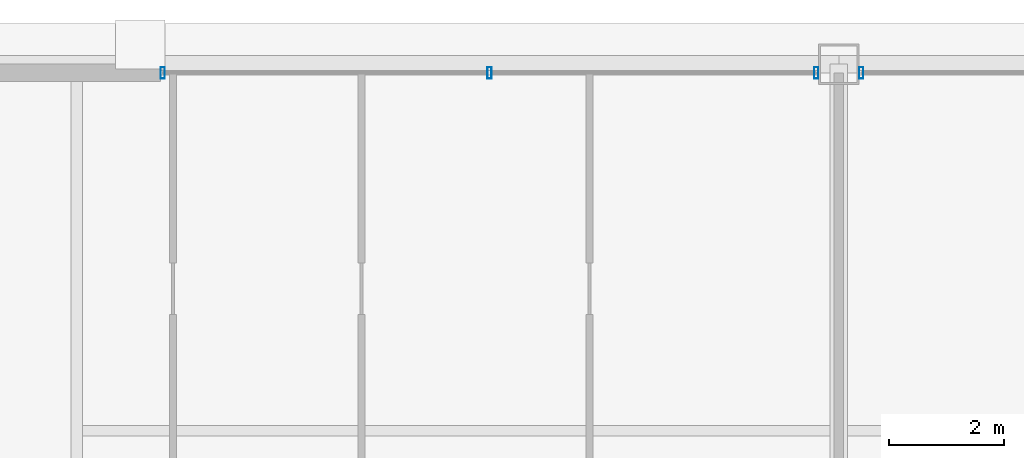
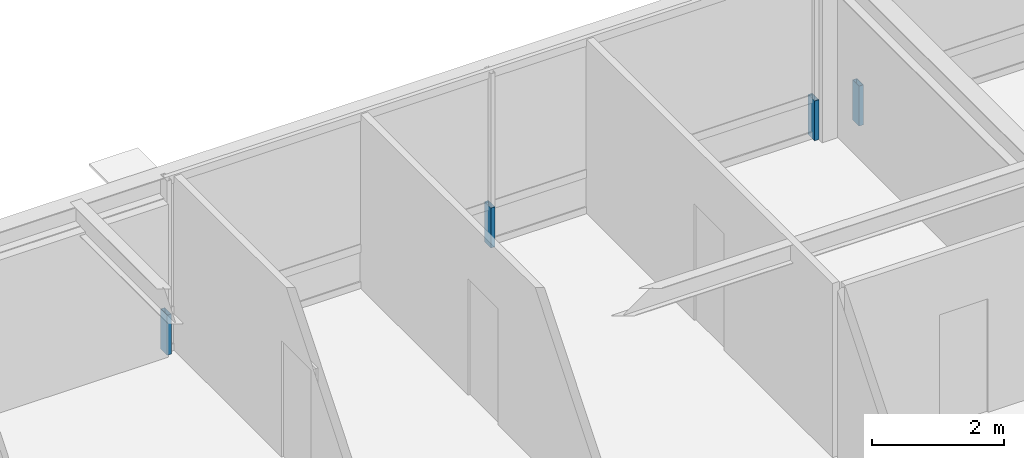
# One storey, part 27 of 35: 4 members, 2 elements without a shape of their own.
"""IFC4 building model written with IfcOpenShell, lengths in metres."""

from ifc_helpers import new_model, si_unit, direction, frame, origin, origin_2d, place, context, subcontext, project, spatial, hollow_rectangle, extrude, source, transform, mapped, material, layer, layer_set, material_profile, profile_set, type_object, element, aggregate, save


model = new_model("IFC4")

# Units and contexts
model_context = context("Model", 3, precision=1e-05, world=origin(), true_north=direction((0.0, 1.0)))
body_context = subcontext(model_context, "Body", "Model", "MODEL_VIEW")
ifc_project = project(units=[si_unit("LENGTHUNIT", "METRE"), si_unit("AREAUNIT", "SQUARE_METRE"), si_unit("VOLUMEUNIT", "CUBIC_METRE"), si_unit("PLANEANGLEUNIT", "RADIAN"), si_unit("MASSUNIT", "GRAM", prefix="KILO"), si_unit("THERMODYNAMICTEMPERATUREUNIT", "KELVIN"), si_unit("POWERUNIT", "WATT")], contexts=[model_context])

# Site, building, storey
site_placement = place(None, origin())
site = spatial("IfcSite", under=ifc_project, at=site_placement, CompositionType="ELEMENT")
building_placement = place(site_placement, origin())
building = spatial("IfcBuilding", under=site, at=building_placement, Name="Yuzanri Waterfront Tower", CompositionType="ELEMENT")
storey_placement = place(building_placement, frame((0.0, 0.0, 303.10009765625)))
storey = spatial("IfcBuildingStorey", under=building, at=storey_placement, Name="L81", CompositionType="ELEMENT", Elevation=303.10009765625)

# Curtain wall, members
ifc_material_1 = material(Name="Anodized Architectural Bronze", Category="metal")
ifc_layer = layer(ifc_material_1, 0.159912109375)
ifc_layer_set = layer_set([ifc_layer], Name="Anodized Architectural Bronze")
curtain_wall_type = type_object("IfcCurtainWallType", Name="Anodized Bronze High-Rise Penthouse High-Wind Unitized Curtain Wall 6900", PredefinedType="NOTDEFINED", material=ifc_layer_set)
curtain_wall_1_placement = place(storey_placement, origin())
curtain_wall_1 = element("IfcCurtainWall", 1, at=curtain_wall_1_placement, inside=storey, type_object=curtain_wall_type, Name="L81 Curtain Wall CW-L81-NL", PredefinedType="NOTDEFINED")
ifc_material_2 = material(Name="Anodized Architectural Bronze", Category="metal")
ifc_material_profile = material_profile(ifc_material_2, hollow_rectangle(XDim=0.074951171875, YDim=0.199951171875, WallThickness=0.00390625, at=origin_2d()), Name="CWM 75x200")
ifc_profile_set = profile_set([ifc_material_profile], Name="Anodized Architectural Bronze")
member_type = type_object("IfcMemberType", Name="Anodized Bronze Primary Curtain-Wall Mullion 75x200", PredefinedType="MULLION", material=ifc_profile_set)
shared_shape = source(origin(), body_context, "Body", "SweptSolid", [
    extrude(hollow_rectangle(XDim=0.074951171875, YDim=0.199951171875, WallThickness=0.00390625, at=origin_2d()), origin(), (0.0, 0.0, 1.0), 0.739013671875),
])
member_1_placement = place(storey_placement, frame((25.2900390625, 44.75, 0.0), z_axis=(0.0, 0.0, 1.0), x_axis=(1.0, 0.0, 0.0)))
member_1 = element("IfcMember", 2, at=member_1_placement, type_object=member_type, Name="CW-L81-NL Lower Mullion 00", PredefinedType="MULLION", context=body_context, shape_type="MappedRepresentation", body=[
    mapped(shared_shape, transform((0.0, 0.0, 0.0), scale=1.0)),
])
member_2_placement = place(storey_placement, frame((30.949951171875, 44.75, 0.0), z_axis=(0.0, 0.0, 1.0), x_axis=(1.0, 0.0, 0.0)))
member_2 = element("IfcMember", 3, at=member_2_placement, type_object=member_type, Name="CW-L81-NL Lower Mullion 01", PredefinedType="MULLION", context=body_context, shape_type="MappedRepresentation", body=[
    mapped(shared_shape, transform((0.0, 0.0, 0.0), scale=1.0)),
])
member_3_placement = place(storey_placement, frame((36.610107421875, 44.75, 0.0), z_axis=(0.0, 0.0, 1.0), x_axis=(1.0, 0.0, 0.0)))
member_3 = element("IfcMember", 4, at=member_3_placement, type_object=member_type, Name="CW-L81-NL Lower Mullion 02", PredefinedType="MULLION", context=body_context, shape_type="MappedRepresentation", body=[
    mapped(shared_shape, transform((0.0, 0.0, 0.0), scale=1.0)),
])
aggregate(curtain_wall_1, [member_1, member_2, member_3])

# Curtain wall, member
curtain_wall_2_placement = place(storey_placement, origin())
curtain_wall_2 = element("IfcCurtainWall", 5, at=curtain_wall_2_placement, inside=storey, type_object=curtain_wall_type, Name="L81 Curtain Wall CW-L81-NR", PredefinedType="NOTDEFINED")
member_4_placement = place(storey_placement, frame((37.389892578125, 44.75, 0.0), z_axis=(0.0, 0.0, 1.0), x_axis=(1.0, 0.0, 0.0)))
member_4 = element("IfcMember", 6, at=member_4_placement, type_object=member_type, Name="CW-L81-NR Lower Mullion 00", PredefinedType="MULLION", context=body_context, shape_type="MappedRepresentation", body=[
    mapped(shared_shape, transform((0.0, 0.0, 0.0), scale=1.0)),
])
aggregate(curtain_wall_2, [member_4])

save(model, "model.ifc")
